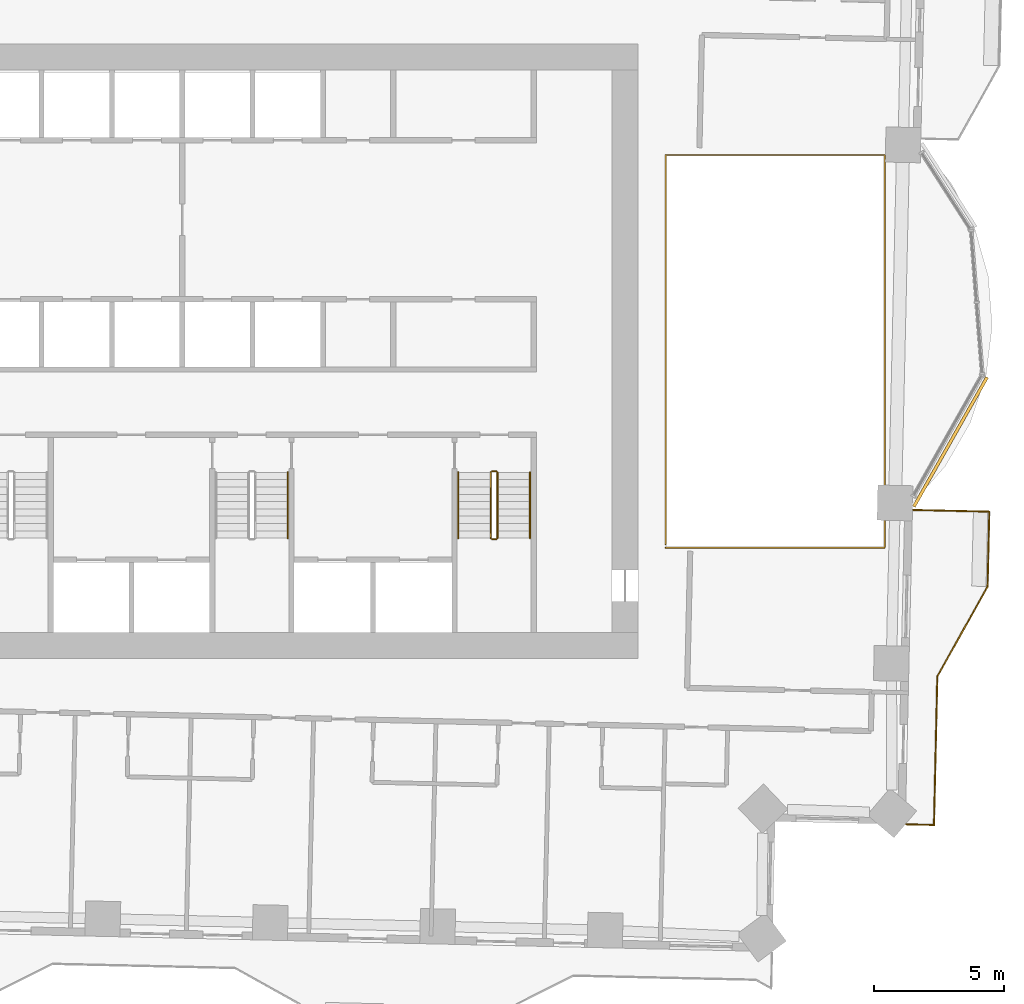
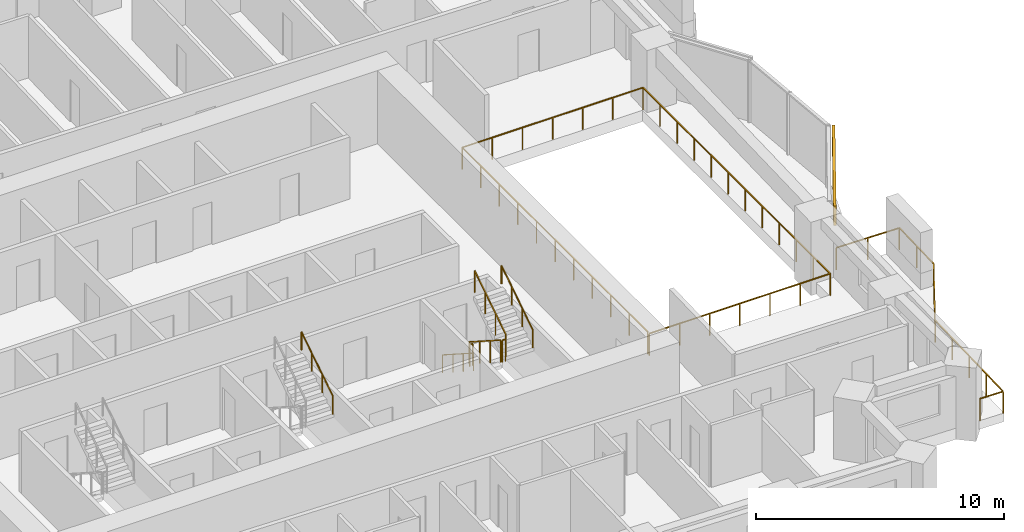
# One storey, part 15 of 16: 9 railings, 1 covering.
"""IFC4 building model written with IfcOpenShell, lengths in metres."""

from ifc_helpers import new_model, si_unit, direction, frame, frame_2d, origin, origin_2d, place, context, subcontext, project, spatial, rectangle, circle, extrude, material, layer, layer_set, type_object, element, save


model = new_model("IFC4")

# Units and contexts
model_context = context("Model", 3, precision=1e-05, world=origin(), true_north=direction((0.0, 1.0)))
body_context = subcontext(model_context, "Body", "Model", "MODEL_VIEW")
ifc_project = project(units=[si_unit("LENGTHUNIT", "METRE"), si_unit("AREAUNIT", "SQUARE_METRE"), si_unit("VOLUMEUNIT", "CUBIC_METRE"), si_unit("PLANEANGLEUNIT", "RADIAN"), si_unit("MASSUNIT", "GRAM", prefix="KILO")], contexts=[model_context])

# Site, building, storey
site_placement = place(None, origin())
site = spatial("IfcSite", under=ifc_project, at=site_placement, CompositionType="ELEMENT")
building_placement = place(site_placement, origin())
building = spatial("IfcBuilding", under=site, at=building_placement, Name="Mangrove Gate Tower", CompositionType="ELEMENT")
storey_placement = place(building_placement, frame((0.0, 0.0, 112.699951171875)))
storey = spatial("IfcBuildingStorey", under=building, at=storey_placement, Name="L28", CompositionType="ELEMENT", Elevation=112.699951171875)

# Railings
ifc_material_1 = material(Name="Stainless steel grade 316 with laminated glass infill", Category="steel")
railing_type_1 = type_object("IfcRailingType", Name="Balcony guard 1100", PredefinedType="GUARDRAIL", material=ifc_material_1)
railing_1_placement = place(storey_placement, frame((25.10107421875, -18.160888671875, 0.0)))
element("IfcRailing", 1, at=railing_1_placement, inside=storey, type_object=railing_type_1, Name="GUARD L28 E1", PredefinedType="GUARDRAIL", context=body_context, shape_type="SweptSolid", body=[
    extrude(rectangle(XDim=0.048095703125, YDim=0.048095703125, at=origin_2d()), frame((0.0, 0.0, 1.076171875), z_axis=(0.999740049023, -0.022799876723, 0.0), x_axis=(0.022799876723, 0.999740049023, 0.0)), (0.0, 0.0, 1.0), 1.06005859375),
    extrude(rectangle(XDim=0.048095703125, YDim=0.048095703125, at=origin_2d()), frame((1.059814453125, -0.024169921875, 1.076171875), z_axis=(0.022656223003, 0.999743314836, 0.0), x_axis=(-0.999743314836, 0.022656223003, 0.0)), (0.0, 0.0, 1.0), 5.700439453125),
    extrude(rectangle(XDim=0.048095703125, YDim=0.048095703125, at=origin_2d()), frame((1.18896484375, 5.6748046875, 1.076171875), z_axis=(0.48726008209, 0.87325689943, 0.0), x_axis=(-0.87325689943, 0.48726008209, 0.0)), (0.0, 0.0, 1.0), 3.958740234375),
    extrude(rectangle(XDim=0.048095703125, YDim=0.048095703125, at=origin_2d()), frame((3.117919921875, 9.1318359375, 1.076171875), z_axis=(0.022929749512, 0.99973707873, 0.0), x_axis=(-0.99973707873, 0.022929749512, 0.0)), (0.0, 0.0, 1.0), 2.874755859375),
    extrude(rectangle(XDim=0.048095703125, YDim=0.048095703125, at=origin_2d()), frame((3.183837890625, 12.005859375, 1.076171875), z_axis=(-0.999743521605, 0.022647097142, 0.0), x_axis=(-0.022647097142, -0.999743521605, 0.0)), (0.0, 0.0, 1.0), 2.91064453125),
    extrude(rectangle(XDim=0.0419921875, YDim=0.0419921875, at=origin_2d()), origin(), (0.0, 0.0, 1.0), 1.052001953125),
    extrude(rectangle(XDim=0.0419921875, YDim=0.0419921875, at=origin_2d()), frame((1.059814453125, -0.024169921875, 0.0)), (0.0, 0.0, 1.0), 1.052001953125),
    extrude(rectangle(XDim=0.0419921875, YDim=0.0419921875, at=origin_2d()), frame((1.092041015625, 1.400634765625, 0.0)), (0.0, 0.0, 1.0), 1.052001953125),
    extrude(rectangle(XDim=0.0419921875, YDim=0.0419921875, at=origin_2d()), frame((1.12451171875, 2.8251953125, 0.0)), (0.0, 0.0, 1.0), 1.052001953125),
    extrude(rectangle(XDim=0.0419921875, YDim=0.0419921875, at=origin_2d()), frame((1.15673828125, 4.25, 0.0)), (0.0, 0.0, 1.0), 1.052001953125),
    extrude(rectangle(XDim=0.0419921875, YDim=0.0419921875, at=origin_2d()), frame((1.18896484375, 5.6748046875, 0.0)), (0.0, 0.0, 1.0), 1.052001953125),
    extrude(rectangle(XDim=0.0419921875, YDim=0.0419921875, at=origin_2d()), frame((1.83203125, 6.8271484375, 0.0)), (0.0, 0.0, 1.0), 1.052001953125),
    extrude(rectangle(XDim=0.0419921875, YDim=0.0419921875, at=origin_2d()), frame((2.474853515625, 7.9794921875, 0.0)), (0.0, 0.0, 1.0), 1.052001953125),
    extrude(rectangle(XDim=0.0419921875, YDim=0.0419921875, at=origin_2d()), frame((3.117919921875, 9.1318359375, 0.0)), (0.0, 0.0, 1.0), 1.052001953125),
    extrude(rectangle(XDim=0.0419921875, YDim=0.0419921875, at=origin_2d()), frame((3.15087890625, 10.56884765625, 0.0)), (0.0, 0.0, 1.0), 1.052001953125),
    extrude(rectangle(XDim=0.0419921875, YDim=0.0419921875, at=origin_2d()), frame((3.183837890625, 12.005859375, 0.0)), (0.0, 0.0, 1.0), 1.052001953125),
    extrude(rectangle(XDim=0.0419921875, YDim=0.0419921875, at=origin_2d()), frame((1.72900390625, 12.038818359375, 0.0)), (0.0, 0.0, 1.0), 1.052001953125),
    extrude(rectangle(XDim=0.0419921875, YDim=0.0419921875, at=origin_2d()), frame((0.27392578125, 12.07177734375, 0.0)), (0.0, 0.0, 1.0), 1.052001953125),
])
railing_2_placement = place(storey_placement, frame((15.860107421875, -7.5400390625, 0.0)))
element("IfcRailing", 2, at=railing_2_placement, inside=storey, type_object=railing_type_1, Name="GUARD L28 atrium", PredefinedType="GUARDRAIL", context=body_context, shape_type="SweptSolid", body=[
    extrude(rectangle(XDim=0.048095703125, YDim=0.048095703125, at=origin_2d()), frame((0.0, 0.0, 1.076171875), z_axis=(1.0, 0.0, 0.0), x_axis=(0.0, 1.0, 0.0)), (0.0, 0.0, 1.0), 8.406982421875),
    extrude(rectangle(XDim=0.048095703125, YDim=0.048095703125, at=origin_2d()), frame((8.406982421875, 0.0, 1.076171875), z_axis=(0.0, 1.0, 0.0), x_axis=(-1.0, 0.0, 0.0)), (0.0, 0.0, 1.0), 15.080078125),
    extrude(rectangle(XDim=0.048095703125, YDim=0.048095703125, at=origin_2d()), frame((8.406982421875, 15.080078125, 1.076171875), z_axis=(-1.0, 0.0, 0.0), x_axis=(0.0, -1.0, 0.0)), (0.0, 0.0, 1.0), 8.406982421875),
    extrude(rectangle(XDim=0.048095703125, YDim=0.048095703125, at=origin_2d()), frame((0.0, 15.080078125, 1.076171875), z_axis=(0.0, -1.0, 0.0), x_axis=(1.0, 0.0, 0.0)), (0.0, 0.0, 1.0), 14.9599609375),
    extrude(rectangle(XDim=0.0419921875, YDim=0.0419921875, at=origin_2d()), origin(), (0.0, 0.0, 1.0), 1.052001953125),
    extrude(rectangle(XDim=0.0419921875, YDim=0.0419921875, at=origin_2d()), frame((1.401123046875, 0.0, 0.0)), (0.0, 0.0, 1.0), 1.052001953125),
    extrude(rectangle(XDim=0.0419921875, YDim=0.0419921875, at=origin_2d()), frame((2.80224609375, 0.0, 0.0)), (0.0, 0.0, 1.0), 1.052001953125),
    extrude(rectangle(XDim=0.0419921875, YDim=0.0419921875, at=origin_2d()), frame((4.20361328125, 0.0, 0.0)), (0.0, 0.0, 1.0), 1.052001953125),
    extrude(rectangle(XDim=0.0419921875, YDim=0.0419921875, at=origin_2d()), frame((5.604736328125, 0.0, 0.0)), (0.0, 0.0, 1.0), 1.052001953125),
    extrude(rectangle(XDim=0.0419921875, YDim=0.0419921875, at=origin_2d()), frame((7.005859375, 0.0, 0.0)), (0.0, 0.0, 1.0), 1.052001953125),
    extrude(rectangle(XDim=0.0419921875, YDim=0.0419921875, at=origin_2d()), frame((8.406982421875, 0.0, 0.0)), (0.0, 0.0, 1.0), 1.052001953125),
    extrude(rectangle(XDim=0.0419921875, YDim=0.0419921875, at=origin_2d()), frame((8.406982421875, 1.370849609375, 0.0)), (0.0, 0.0, 1.0), 1.052001953125),
    extrude(rectangle(XDim=0.0419921875, YDim=0.0419921875, at=origin_2d()), frame((8.406982421875, 2.741943359375, 0.0)), (0.0, 0.0, 1.0), 1.052001953125),
    extrude(rectangle(XDim=0.0419921875, YDim=0.0419921875, at=origin_2d()), frame((8.406982421875, 4.11279296875, 0.0)), (0.0, 0.0, 1.0), 1.052001953125),
    extrude(rectangle(XDim=0.0419921875, YDim=0.0419921875, at=origin_2d()), frame((8.406982421875, 5.483642578125, 0.0)), (0.0, 0.0, 1.0), 1.052001953125),
    extrude(rectangle(XDim=0.0419921875, YDim=0.0419921875, at=origin_2d()), frame((8.406982421875, 6.8544921875, 0.0)), (0.0, 0.0, 1.0), 1.052001953125),
    extrude(rectangle(XDim=0.0419921875, YDim=0.0419921875, at=origin_2d()), frame((8.406982421875, 8.2255859375, 0.0)), (0.0, 0.0, 1.0), 1.052001953125),
    extrude(rectangle(XDim=0.0419921875, YDim=0.0419921875, at=origin_2d()), frame((8.406982421875, 9.596435546875, 0.0)), (0.0, 0.0, 1.0), 1.052001953125),
    extrude(rectangle(XDim=0.0419921875, YDim=0.0419921875, at=origin_2d()), frame((8.406982421875, 10.96728515625, 0.0)), (0.0, 0.0, 1.0), 1.052001953125),
    extrude(rectangle(XDim=0.0419921875, YDim=0.0419921875, at=origin_2d()), frame((8.406982421875, 12.338134765625, 0.0)), (0.0, 0.0, 1.0), 1.052001953125),
    extrude(rectangle(XDim=0.0419921875, YDim=0.0419921875, at=origin_2d()), frame((8.406982421875, 13.709228515625, 0.0)), (0.0, 0.0, 1.0), 1.052001953125),
    extrude(rectangle(XDim=0.0419921875, YDim=0.0419921875, at=origin_2d()), frame((8.406982421875, 15.080078125, 0.0)), (0.0, 0.0, 1.0), 1.052001953125),
    extrude(rectangle(XDim=0.0419921875, YDim=0.0419921875, at=origin_2d()), frame((7.005859375, 15.080078125, 0.0)), (0.0, 0.0, 1.0), 1.052001953125),
    extrude(rectangle(XDim=0.0419921875, YDim=0.0419921875, at=origin_2d()), frame((5.604736328125, 15.080078125, 0.0)), (0.0, 0.0, 1.0), 1.052001953125),
    extrude(rectangle(XDim=0.0419921875, YDim=0.0419921875, at=origin_2d()), frame((4.20361328125, 15.080078125, 0.0)), (0.0, 0.0, 1.0), 1.052001953125),
    extrude(rectangle(XDim=0.0419921875, YDim=0.0419921875, at=origin_2d()), frame((2.80224609375, 15.080078125, 0.0)), (0.0, 0.0, 1.0), 1.052001953125),
    extrude(rectangle(XDim=0.0419921875, YDim=0.0419921875, at=origin_2d()), frame((1.401123046875, 15.080078125, 0.0)), (0.0, 0.0, 1.0), 1.052001953125),
    extrude(rectangle(XDim=0.0419921875, YDim=0.0419921875, at=origin_2d()), frame((0.0, 15.080078125, 0.0)), (0.0, 0.0, 1.0), 1.052001953125),
    extrude(rectangle(XDim=0.0419921875, YDim=0.0419921875, at=origin_2d()), frame((0.0, 13.583984375, 0.0)), (0.0, 0.0, 1.0), 1.052001953125),
    extrude(rectangle(XDim=0.0419921875, YDim=0.0419921875, at=origin_2d()), frame((0.0, 12.088134765625, 0.0)), (0.0, 0.0, 1.0), 1.052001953125),
    extrude(rectangle(XDim=0.0419921875, YDim=0.0419921875, at=origin_2d()), frame((0.0, 10.592041015625, 0.0)), (0.0, 0.0, 1.0), 1.052001953125),
    extrude(rectangle(XDim=0.0419921875, YDim=0.0419921875, at=origin_2d()), frame((0.0, 9.09619140625, 0.0)), (0.0, 0.0, 1.0), 1.052001953125),
    extrude(rectangle(XDim=0.0419921875, YDim=0.0419921875, at=origin_2d()), frame((0.0, 7.60009765625, 0.0)), (0.0, 0.0, 1.0), 1.052001953125),
    extrude(rectangle(XDim=0.0419921875, YDim=0.0419921875, at=origin_2d()), frame((0.0, 6.10400390625, 0.0)), (0.0, 0.0, 1.0), 1.052001953125),
    extrude(rectangle(XDim=0.0419921875, YDim=0.0419921875, at=origin_2d()), frame((0.0, 4.608154296875, 0.0)), (0.0, 0.0, 1.0), 1.052001953125),
    extrude(rectangle(XDim=0.0419921875, YDim=0.0419921875, at=origin_2d()), frame((0.0, 3.112060546875, 0.0)), (0.0, 0.0, 1.0), 1.052001953125),
    extrude(rectangle(XDim=0.0419921875, YDim=0.0419921875, at=origin_2d()), frame((0.0, 1.6162109375, 0.0)), (0.0, 0.0, 1.0), 1.052001953125),
    extrude(rectangle(XDim=0.0419921875, YDim=0.0419921875, at=origin_2d()), frame((0.0, 0.1201171875, 0.0)), (0.0, 0.0, 1.0), 1.052001953125),
])
ifc_material_2 = material(Name="Stainless steel 316", Category="steel")
railing_type_2 = type_object("IfcRailingType", Name="Core stair guard 1100", PredefinedType="GUARDRAIL", material=ifc_material_2)
railing_3_placement = place(storey_placement, frame((9.14990234375, -4.64990234375, 0.179931640625)))
element("IfcRailing", 3, at=railing_3_placement, inside=storey, type_object=railing_type_2, Name="L28 ST3 stair guard 1", PredefinedType="GUARDRAIL", context=body_context, shape_type="SweptSolid", body=[
    extrude(rectangle(XDim=0.048095703125, YDim=0.048095703125, at=origin_2d()), frame((0.0, 0.0, 1.076171875), z_axis=(0.0, -0.841162588446, 0.540782303519), x_axis=(1.0, 0.0, 0.0)), (0.0, 0.0, 1.0), 2.995849609375),
    extrude(rectangle(XDim=0.0419921875, YDim=0.0419921875, at=origin_2d()), origin(), (0.0, 0.0, 1.0), 1.052001953125),
    extrude(rectangle(XDim=0.0419921875, YDim=0.0419921875, at=origin_2d()), frame((0.0, -0.840087890625, 0.5400390625)), (0.0, 0.0, 1.0), 1.052001953125),
    extrude(rectangle(XDim=0.0419921875, YDim=0.0419921875, at=origin_2d()), frame((0.0, -1.679931640625, 1.080078125)), (0.0, 0.0, 1.0), 1.052001953125),
    extrude(rectangle(XDim=0.0419921875, YDim=0.0419921875, at=origin_2d()), frame((0.0, -2.52001953125, 1.6201171875)), (0.0, 0.0, 1.0), 1.052001953125),
])
railing_4_placement = place(storey_placement, frame((9.199951171875, -7.219970703125, 1.800048828125)))
element("IfcRailing", 4, at=railing_4_placement, inside=storey, type_object=railing_type_2, Name="L28 ST3 stair guard 2", PredefinedType="GUARDRAIL", context=body_context, shape_type="SweptSolid", body=[
    extrude(rectangle(XDim=0.048095703125, YDim=0.048095703125, at=origin_2d()), frame((0.0, 0.0, 1.076171875), z_axis=(1.0, 0.0, 0.0), x_axis=(0.0, 1.0, 0.0)), (0.0, 0.0, 1.0), 0.150146484375),
    extrude(rectangle(XDim=0.0419921875, YDim=0.0419921875, at=origin_2d()), origin(), (0.0, 0.0, 1.0), 1.052001953125),
    extrude(rectangle(XDim=0.0419921875, YDim=0.0419921875, at=origin_2d()), frame((0.150146484375, 0.0, 0.0)), (0.0, 0.0, 1.0), 1.052001953125),
])
railing_5_placement = place(storey_placement, frame((9.39990234375, -7.169921875, 1.97998046875)))
element("IfcRailing", 5, at=railing_5_placement, inside=storey, type_object=railing_type_2, Name="L28 ST3 stair guard 3", PredefinedType="GUARDRAIL", context=body_context, shape_type="SweptSolid", body=[
    extrude(rectangle(XDim=0.048095703125, YDim=0.048095703125, at=origin_2d()), frame((0.0, 0.0, 1.076171875), z_axis=(0.0, 0.841162588446, 0.540782303519), x_axis=(-1.0, 0.0, 0.0)), (0.0, 0.0, 1.0), 2.995849609375),
    extrude(rectangle(XDim=0.0419921875, YDim=0.0419921875, at=origin_2d()), origin(), (0.0, 0.0, 1.0), 1.052001953125),
    extrude(rectangle(XDim=0.0419921875, YDim=0.0419921875, at=origin_2d()), frame((0.0, 0.840087890625, 0.5400390625)), (0.0, 0.0, 1.0), 1.052001953125),
    extrude(rectangle(XDim=0.0419921875, YDim=0.0419921875, at=origin_2d()), frame((0.0, 1.679931640625, 1.080078125)), (0.0, 0.0, 1.0), 1.052001953125),
    extrude(rectangle(XDim=0.0419921875, YDim=0.0419921875, at=origin_2d()), frame((0.0, 2.52001953125, 1.6201171875)), (0.0, 0.0, 1.0), 1.052001953125),
])
railing_6_placement = place(storey_placement, frame((9.199951171875, -4.60009765625, 0.0)))
element("IfcRailing", 6, at=railing_6_placement, inside=storey, type_object=railing_type_2, Name="L28 ST3 stair guard 4", PredefinedType="GUARDRAIL", context=body_context, shape_type="SweptSolid", body=[
    extrude(rectangle(XDim=0.048095703125, YDim=0.048095703125, at=origin_2d()), frame((0.0, 0.0, 1.076171875), z_axis=(1.0, 0.0, 0.0), x_axis=(0.0, 1.0, 0.0)), (0.0, 0.0, 1.0), 0.150146484375),
    extrude(rectangle(XDim=0.0419921875, YDim=0.0419921875, at=origin_2d()), origin(), (0.0, 0.0, 1.0), 1.052001953125),
    extrude(rectangle(XDim=0.0419921875, YDim=0.0419921875, at=origin_2d()), frame((0.150146484375, 0.0, 0.0)), (0.0, 0.0, 1.0), 1.052001953125),
])
ifc_material_3 = material(Name="Stainless steel 316", Category="steel")
railing_type_3 = type_object("IfcRailingType", Name="Core stair handrail 900", PredefinedType="HANDRAIL", material=ifc_material_3)
railing_7_placement = place(storey_placement, frame((1.35009765625, -7.169921875, 1.97998046875)))
element("IfcRailing", 7, at=railing_7_placement, inside=storey, type_object=railing_type_3, Name="L28 ST2 stair handrail 2", PredefinedType="HANDRAIL", context=body_context, shape_type="SweptSolid", body=[
    extrude(circle(Radius=0.02392578125, at=origin_2d()), frame((0.0, 0.0, 0.8759765625), z_axis=(0.0, 0.841162588446, 0.540782303519), x_axis=(-1.0, 0.0, 0.0)), (0.0, 0.0, 1.0), 2.995849609375),
    extrude(circle(Radius=0.02099609375, at=origin_2d()), origin(), (0.0, 0.0, 1.0), 0.851806640625),
    extrude(circle(Radius=0.02099609375, at=origin_2d()), frame((0.0, 0.840087890625, 0.5400390625)), (0.0, 0.0, 1.0), 0.851806640625),
    extrude(circle(Radius=0.02099609375, at=origin_2d()), frame((0.0, 1.679931640625, 1.080078125)), (0.0, 0.0, 1.0), 0.851806640625),
    extrude(circle(Radius=0.02099609375, at=origin_2d()), frame((0.0, 2.52001953125, 1.6201171875)), (0.0, 0.0, 1.0), 0.851806640625),
])
railing_8_placement = place(storey_placement, frame((7.89990234375, -4.64990234375, 0.179931640625)))
element("IfcRailing", 8, at=railing_8_placement, inside=storey, type_object=railing_type_3, Name="L28 ST3 stair handrail 1", PredefinedType="HANDRAIL", context=body_context, shape_type="SweptSolid", body=[
    extrude(circle(Radius=0.02392578125, at=origin_2d()), frame((0.0, 0.0, 0.8759765625), z_axis=(0.0, -0.841162588446, 0.540782303519), x_axis=(1.0, 0.0, 0.0)), (0.0, 0.0, 1.0), 2.995849609375),
    extrude(circle(Radius=0.02099609375, at=origin_2d()), origin(), (0.0, 0.0, 1.0), 0.851806640625),
    extrude(circle(Radius=0.02099609375, at=origin_2d()), frame((0.0, -0.840087890625, 0.5400390625)), (0.0, 0.0, 1.0), 0.851806640625),
    extrude(circle(Radius=0.02099609375, at=origin_2d()), frame((0.0, -1.679931640625, 1.080078125)), (0.0, 0.0, 1.0), 0.851806640625),
    extrude(circle(Radius=0.02099609375, at=origin_2d()), frame((0.0, -2.52001953125, 1.6201171875)), (0.0, 0.0, 1.0), 0.851806640625),
])
railing_9_placement = place(storey_placement, frame((10.64990234375, -7.169921875, 1.97998046875)))
element("IfcRailing", 9, at=railing_9_placement, inside=storey, type_object=railing_type_3, Name="L28 ST3 stair handrail 2", PredefinedType="HANDRAIL", context=body_context, shape_type="SweptSolid", body=[
    extrude(circle(Radius=0.02392578125, at=origin_2d()), frame((0.0, 0.0, 0.8759765625), z_axis=(0.0, 0.841162588446, 0.540782303519), x_axis=(-1.0, 0.0, 0.0)), (0.0, 0.0, 1.0), 2.995849609375),
    extrude(circle(Radius=0.02099609375, at=origin_2d()), origin(), (0.0, 0.0, 1.0), 0.851806640625),
    extrude(circle(Radius=0.02099609375, at=origin_2d()), frame((0.0, 0.840087890625, 0.5400390625)), (0.0, 0.0, 1.0), 0.851806640625),
    extrude(circle(Radius=0.02099609375, at=origin_2d()), frame((0.0, 1.679931640625, 1.080078125)), (0.0, 0.0, 1.0), 0.851806640625),
    extrude(circle(Radius=0.02099609375, at=origin_2d()), frame((0.0, 2.52001953125, 1.6201171875)), (0.0, 0.0, 1.0), 0.851806640625),
])

# Covering
ifc_material_4 = material(Name="Limestone", Category="masonry")
ifc_layer_1 = layer(ifc_material_4, 0.0400390625, Name="Limestone cladding")
ifc_material_5 = material(Name="Stainless steel anchors and cavity", Category="steel")
ifc_layer_2 = layer(ifc_material_5, 0.080078125, Name="Fixing cavity")
ifc_layer_set = layer_set([ifc_layer_1, ifc_layer_2], Name="Joint fascia cladding 120")
covering_type = type_object("IfcCoveringType", Name="Joint fascia cladding 120", PredefinedType="CLADDING", material=ifc_layer_set)
covering_placement = place(storey_placement, frame((25.38818359375, -5.96484375, 2.10009765625), z_axis=(0.0, 0.0, 1.0), x_axis=(0.492461862622, 0.870334024305, 0.0)))
element("IfcCovering", 10, at=covering_placement, inside=storey, type_object=covering_type, Name="STONE FASCIA L28 E1.L1", PredefinedType="CLADDING", context=body_context, shape_type="SweptSolid", body=[
    extrude(rectangle(XDim=5.70556640625, YDim=0.1201171875, at=frame_2d((2.852783203125, 0.0))), origin(), (0.0, 0.0, 1.0), 0.949951171875),
])

save(model, "model.ifc")
